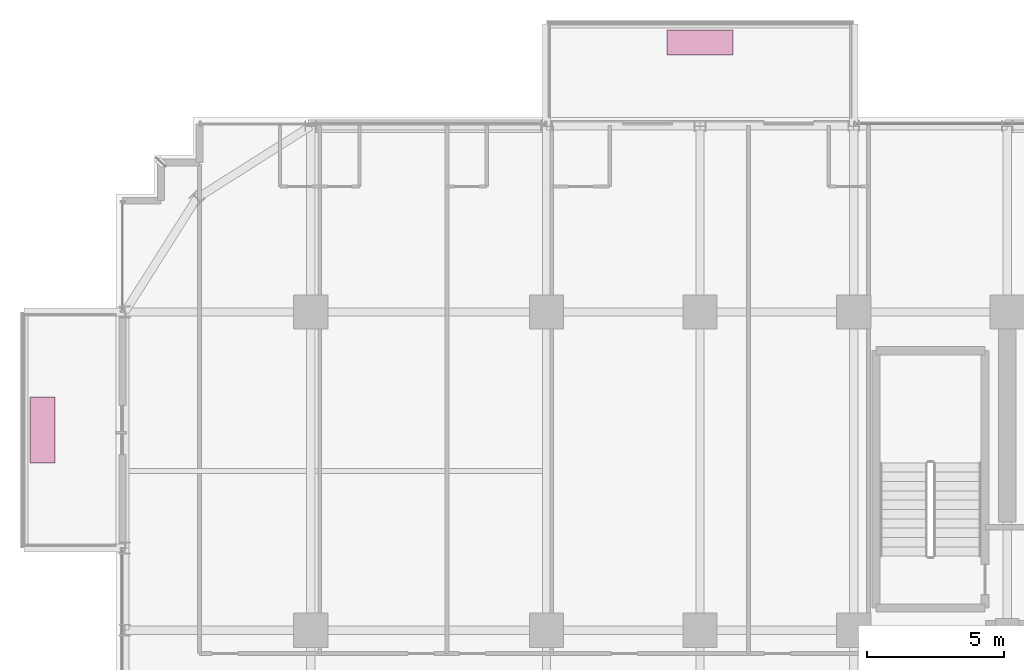
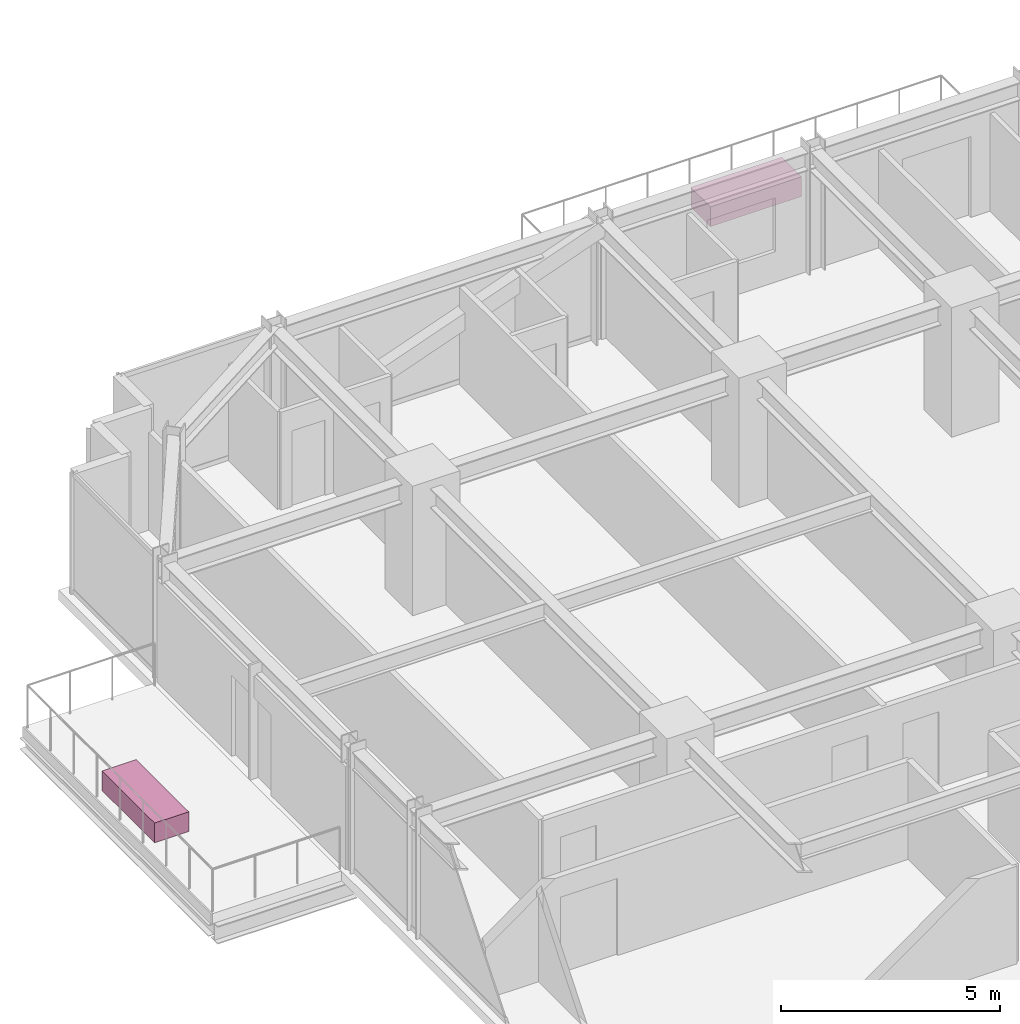
# One storey, part 40 of 40: 2 furnishings.
"""IFC4 building model written with IfcOpenShell, lengths in metres."""

from ifc_helpers import new_model, si_unit, direction, frame, origin, origin_2d, place, context, subcontext, project, spatial, rectangle, extrude, source, transform, mapped, material, type_object, element, save


model = new_model("IFC4")

# Units and contexts
model_context = context("Model", 3, precision=1e-05, world=origin(), true_north=direction((0.0, 1.0)))
body_context = subcontext(model_context, "Body", "Model", "MODEL_VIEW")
ifc_project = project(units=[si_unit("LENGTHUNIT", "METRE"), si_unit("AREAUNIT", "SQUARE_METRE"), si_unit("VOLUMEUNIT", "CUBIC_METRE"), si_unit("PLANEANGLEUNIT", "RADIAN"), si_unit("MASSUNIT", "GRAM", prefix="KILO")], contexts=[model_context])

# Site, building, storey
site_placement = place(None, origin())
site = spatial("IfcSite", under=ifc_project, at=site_placement, CompositionType="ELEMENT")
building_placement = place(site_placement, origin())
building = spatial("IfcBuilding", under=site, at=building_placement, Name="Nahalor Promenade Grand Hotel", CompositionType="ELEMENT")
storey_placement = place(building_placement, frame((0.0, 0.0, 91.949951171875)))
storey = spatial("IfcBuildingStorey", under=building, at=storey_placement, Name="L22", CompositionType="ELEMENT", Elevation=91.949951171875)

# Furnishings
ifc_material = material(Name="Vegetated Volcanic-Lapilli Tree Planter", Category="earth")
furnishing_element_type = type_object("IfcFurnishingElementType", Name="Planter-VerticalForest-Box", material=ifc_material)
shared_shape = source(origin(), body_context, "Body", "SweptSolid", [
    extrude(rectangle(XDim=2.39990234375, YDim=0.89990234375, at=origin_2d()), origin(), (0.0, 0.0, 1.0), 0.550048828125),
])
for number, where, z_axis, x_axis, name in (
    (1, (-2.800048828125, 26.830078125, 0.0), (0.0, 0.0, 1.0), (1.0, 0.0, 0.0), "L22 Balcony Structural Tree Planter 1"),
    (2, (-26.780029296875, 12.699951171875, 0.0), (0.0, 0.0, 1.0), (0.0, 1.0, 0.0), "L22 Balcony Structural Tree Planter 2"),
):
    element("IfcFurnishingElement", number, at=place(storey_placement, frame(where, z_axis=z_axis, x_axis=x_axis)), inside=storey, type_object=furnishing_element_type, Name=name, ObjectType="PLANTER", context=body_context, shape_type="MappedRepresentation", body=[
        mapped(shared_shape, transform((0.0, 0.0, 0.0), scale=1.0)),
    ])

save(model, "model.ifc")
